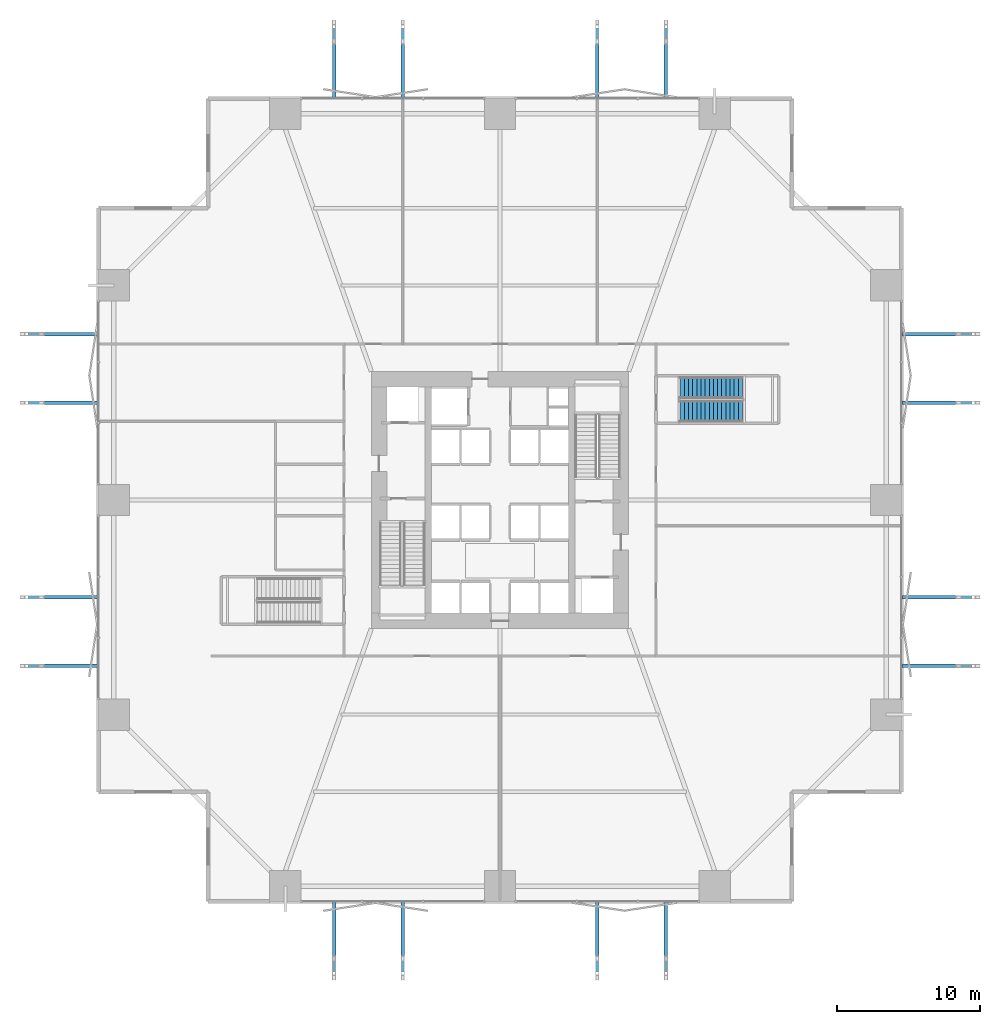
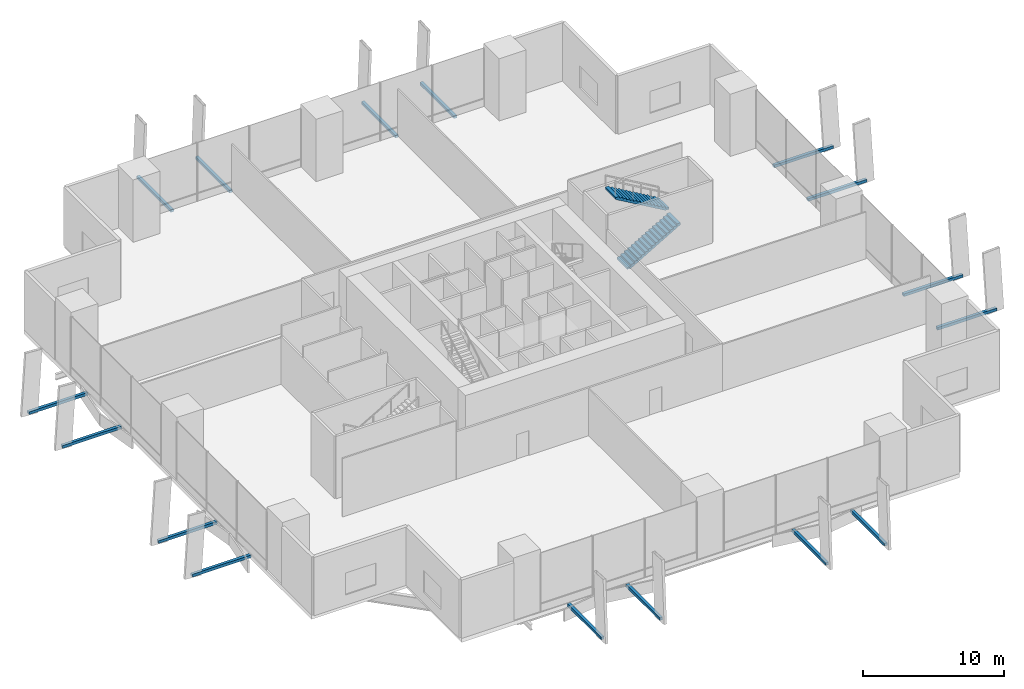
# One storey, part 22 of 24: 16 discrete accessories, 2 stair flights, 1 element without a shape of its own.
"""IFC4 building model written with IfcOpenShell, lengths in metres."""

from ifc_helpers import new_model, si_unit, direction, frame, origin, origin_2d, place, context, subcontext, project, spatial, polyline, rectangle, outline, extrude, material, layer, layer_set, type_object, element, aggregate, save


model = new_model("IFC4")

# Units and contexts
model_context = context("Model", 3, precision=1e-05, world=origin(), true_north=direction((0.0, 1.0)))
body_context = subcontext(model_context, "Body", "Model", "MODEL_VIEW")
ifc_project = project(units=[si_unit("LENGTHUNIT", "METRE"), si_unit("AREAUNIT", "SQUARE_METRE"), si_unit("VOLUMEUNIT", "CUBIC_METRE"), si_unit("PLANEANGLEUNIT", "RADIAN"), si_unit("MASSUNIT", "GRAM", prefix="KILO")], contexts=[model_context])

# Site, building, storey
site_placement = place(None, origin())
site = spatial("IfcSite", under=ifc_project, at=site_placement, CompositionType="ELEMENT")
building_placement = place(site_placement, origin())
building = spatial("IfcBuilding", under=site, at=building_placement, Name="Belovzor Exchange Tower", CompositionType="ELEMENT")
storey_placement = place(building_placement, frame((0.0, 0.0, 8.39990234375)))
storey = spatial("IfcBuildingStorey", under=building, at=storey_placement, Name="L02", CompositionType="ELEMENT", Elevation=8.39990234375)

# Stair, stair flights
ifc_material_1 = material(Name="Concrete C40/50", Category="concrete")
stair_type = type_object("IfcStairType", Name="Reinforced Concrete Podium Escape Stair 1400", PredefinedType="HALF_TURN_STAIR", material=ifc_material_1)
stair_placement = place(storey_placement, origin())
stair = element("IfcStair", 1, at=stair_placement, inside=storey, type_object=stair_type, Name="L02 ST-4", PredefinedType="HALF_TURN_STAIR")
ifc_material_2 = material(Name="Concrete C40/50", Category="concrete")
stair_flight_type = type_object("IfcStairFlightType", Name="Reinforced Concrete Podium Stair Flight 1400", PredefinedType="STRAIGHT", material=ifc_material_2)
stair_flight_1_placement = place(storey_placement, frame((41.39990234375, 35.0, 0.0), z_axis=(0.0, 0.0, 1.0), x_axis=(1.0, 0.0, 0.0)))
stair_flight_1 = element("IfcStairFlight", 2, at=stair_flight_1_placement, type_object=stair_flight_type, Name="ST-4 flight 1", NumberOfRisers=16, NumberOfTreads=15, PredefinedType="STRAIGHT", RiserHeight=0.16875, TreadLength=0.29, context=body_context, shape_type="SweptSolid", body=[
    extrude(outline(polyline([(0.0, 0.0), (0.0, 0.168701171875), (0.2900390625, 0.168701171875), (0.2900390625, 0.33740234375), (0.580078125, 0.33740234375), (0.580078125, 0.50634765625), (0.8701171875, 0.50634765625), (0.8701171875, 0.675048828125), (1.159912109375, 0.675048828125), (1.159912109375, 0.84375), (1.449951171875, 0.84375), (1.449951171875, 1.012451171875), (1.739990234375, 1.012451171875), (1.739990234375, 1.18115234375), (2.030029296875, 1.18115234375), (2.030029296875, 1.35009765625), (2.320068359375, 1.35009765625), (2.320068359375, 1.518798828125), (2.610107421875, 1.518798828125), (2.610107421875, 1.6875), (2.89990234375, 1.6875), (2.89990234375, 1.856201171875), (3.18994140625, 1.856201171875), (3.18994140625, 2.02490234375), (3.47998046875, 2.02490234375), (3.47998046875, 2.19384765625), (3.77001953125, 2.19384765625), (3.77001953125, 2.362548828125), (4.06005859375, 2.362548828125), (4.06005859375, 2.53125), (4.35009765625, 2.53125), (4.35009765625, 2.699951171875), (4.35009765625, 2.35791015625), (0.298095703125, 0.0), (0.0, 0.0)])), frame((0.0, 0.75, 0.0), z_axis=(0.0, -1.0, 0.0), x_axis=(1.0, 0.0, 0.0)), (0.0, 0.0, 1.0), 1.5),
])
stair_flight_2_placement = place(storey_placement, frame((45.75, 36.64990234375, 2.7001953125), z_axis=(0.0, 0.0, 1.0), x_axis=(-1.0, 0.0, 0.0)))
stair_flight_2 = element("IfcStairFlight", 3, at=stair_flight_2_placement, type_object=stair_flight_type, Name="ST-4 flight 2", NumberOfRisers=16, NumberOfTreads=15, PredefinedType="STRAIGHT", RiserHeight=0.16875, TreadLength=0.29, context=body_context, shape_type="SweptSolid", body=[
    extrude(outline(polyline([(0.0, 0.0), (0.0, 0.168701171875), (0.2900390625, 0.168701171875), (0.2900390625, 0.33740234375), (0.580078125, 0.33740234375), (0.580078125, 0.50634765625), (0.8701171875, 0.50634765625), (0.8701171875, 0.675048828125), (1.159912109375, 0.675048828125), (1.159912109375, 0.84375), (1.449951171875, 0.84375), (1.449951171875, 1.012451171875), (1.739990234375, 1.012451171875), (1.739990234375, 1.18115234375), (2.030029296875, 1.18115234375), (2.030029296875, 1.35009765625), (2.320068359375, 1.35009765625), (2.320068359375, 1.518798828125), (2.610107421875, 1.518798828125), (2.610107421875, 1.6875), (2.89990234375, 1.6875), (2.89990234375, 1.856201171875), (3.18994140625, 1.856201171875), (3.18994140625, 2.02490234375), (3.47998046875, 2.02490234375), (3.47998046875, 2.19384765625), (3.77001953125, 2.19384765625), (3.77001953125, 2.362548828125), (4.06005859375, 2.362548828125), (4.06005859375, 2.53125), (4.35009765625, 2.53125), (4.35009765625, 2.699951171875), (4.35009765625, 2.35791015625), (0.298095703125, 0.0), (0.0, 0.0)])), frame((0.0, 0.75, 0.0), z_axis=(0.0, -1.0, 0.0), x_axis=(1.0, 0.0, 0.0)), (0.0, 0.0, 1.0), 1.5),
])
aggregate(stair, [stair_flight_1, stair_flight_2])

# Discrete accessories
ifc_material_3 = material(Name="Stainless Steel Grade 316", Category="steel")
ifc_layer = layer(ifc_material_3, 0.179931640625)
ifc_layer_set = layer_set([ifc_layer], Name="Stainless Steel Grade 316")
discrete_accessory_type = type_object("IfcDiscreteAccessoryType", Name="Stainless Steel Facade Outrigger Fixing Bracket", PredefinedType="BRACKET", material=ifc_layer_set)
for number, where, z_axis, x_axis, name in (
    (4, (17.199951171875, -1.739990234375, -0.294921875), (0.0, 0.0, 1.0), (0.0, 1.0, 0.0), "BRK-FIN1 Sweeping Fin Outrigger Bracket L02 S1"),
    (5, (17.199951171875, 59.341064453125, -0.294921875), (0.0, 0.0, 1.0), (0.0, 1.0, 0.0), "BRK-FIN1 Sweeping Fin Outrigger Bracket L02 N1"),
    (6, (-1.739990234375, 17.199951171875, -0.294921875), (0.0, 0.0, 1.0), (1.0, 0.0, 0.0), "BRK-FIN1 Sweeping Fin Outrigger Bracket L02 W1"),
    (7, (59.341064453125, 17.199951171875, -0.294921875), (0.0, 0.0, 1.0), (1.0, 0.0, 0.0), "BRK-FIN1 Sweeping Fin Outrigger Bracket L02 E1"),
    (8, (22.0, -1.739990234375, -0.294921875), (0.0, 0.0, 1.0), (0.0, 1.0, 0.0), "BRK-FIN1 Sweeping Fin Outrigger Bracket L02 S2"),
    (9, (22.0, 59.341064453125, -0.294921875), (0.0, 0.0, 1.0), (0.0, 1.0, 0.0), "BRK-FIN1 Sweeping Fin Outrigger Bracket L02 N2"),
    (10, (-1.739990234375, 22.0, -0.294921875), (0.0, 0.0, 1.0), (1.0, 0.0, 0.0), "BRK-FIN1 Sweeping Fin Outrigger Bracket L02 W2"),
    (11, (59.341064453125, 22.0, -0.294921875), (0.0, 0.0, 1.0), (1.0, 0.0, 0.0), "BRK-FIN1 Sweeping Fin Outrigger Bracket L02 E2"),
    (12, (35.60009765625, -1.739990234375, -0.294921875), (0.0, 0.0, 1.0), (0.0, 1.0, 0.0), "BRK-FIN1 Sweeping Fin Outrigger Bracket L02 S3"),
    (13, (35.60009765625, 59.341064453125, -0.294921875), (0.0, 0.0, 1.0), (0.0, 1.0, 0.0), "BRK-FIN1 Sweeping Fin Outrigger Bracket L02 N3"),
    (14, (-1.739990234375, 35.60009765625, -0.294921875), (0.0, 0.0, 1.0), (1.0, 0.0, 0.0), "BRK-FIN1 Sweeping Fin Outrigger Bracket L02 W3"),
    (15, (59.341064453125, 35.60009765625, -0.294921875), (0.0, 0.0, 1.0), (1.0, 0.0, 0.0), "BRK-FIN1 Sweeping Fin Outrigger Bracket L02 E3"),
    (16, (40.39990234375, -1.739990234375, -0.294921875), (0.0, 0.0, 1.0), (0.0, 1.0, 0.0), "BRK-FIN1 Sweeping Fin Outrigger Bracket L02 S4"),
    (17, (40.39990234375, 59.341064453125, -0.294921875), (0.0, 0.0, 1.0), (0.0, 1.0, 0.0), "BRK-FIN1 Sweeping Fin Outrigger Bracket L02 N4"),
    (18, (-1.739990234375, 40.39990234375, -0.294921875), (0.0, 0.0, 1.0), (1.0, 0.0, 0.0), "BRK-FIN1 Sweeping Fin Outrigger Bracket L02 W4"),
    (19, (59.341064453125, 40.39990234375, -0.294921875), (0.0, 0.0, 1.0), (1.0, 0.0, 0.0), "BRK-FIN1 Sweeping Fin Outrigger Bracket L02 E4"),
):
    element("IfcDiscreteAccessory", number, at=place(storey_placement, frame(where, z_axis=z_axis, x_axis=x_axis)), inside=storey, type_object=discrete_accessory_type, Name=name, PredefinedType="BRACKET", context=body_context, shape_type="SweptSolid", body=[
        extrude(rectangle(XDim=4.841064453125, YDim=0.239990234375, at=origin_2d()), origin(), (0.0, 0.0, 1.0), 0.239990234375),
    ])

save(model, "model.ifc")
